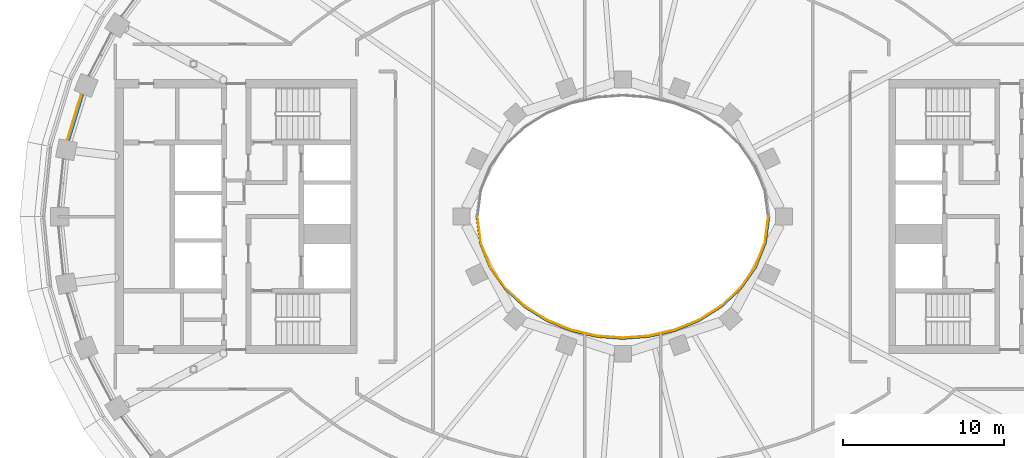
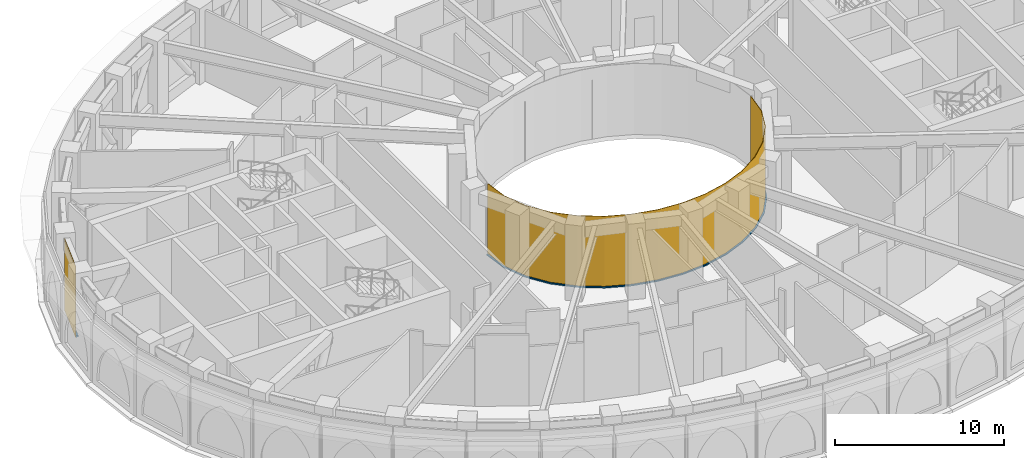
# One storey, part 15 of 25: 2 curtain walls, 2 members.
"""IFC4 building model written with IfcOpenShell, lengths in metres."""

from ifc_helpers import new_model, si_unit, direction, frame, origin, place, context, subcontext, project, spatial, polyline, outline, extrude, material, layer, layer_set, type_object, element, aggregate, save


model = new_model("IFC4")

# Units and contexts
model_context = context("Model", 3, precision=1e-05, world=origin(), true_north=direction((0.0, 1.0)))
body_context = subcontext(model_context, "Body", "Model", "MODEL_VIEW")
ifc_project = project(units=[si_unit("LENGTHUNIT", "METRE"), si_unit("AREAUNIT", "SQUARE_METRE"), si_unit("VOLUMEUNIT", "CUBIC_METRE"), si_unit("PLANEANGLEUNIT", "RADIAN"), si_unit("MASSUNIT", "GRAM", prefix="KILO")], contexts=[model_context])

# Member
ifc_material_1 = material(Name="Aluminium 6063-T6 black anodised", Category="aluminium")
member_type_1 = type_object("IfcMemberType", Name="ENV-TRANSOM-B", PredefinedType="USERDEFINED", material=ifc_material_1)
site_placement = place(None, origin())
building_placement = place(site_placement, origin())
storey_placement = place(building_placement, frame((0.0, 0.0, 198.0)))
member_1_placement = place(storey_placement, origin())
member_1 = element("IfcMember", 1, at=member_1_placement, type_object=member_type_1, Name="Transom B radial 22-23", ObjectType="TRANSOM", PredefinedType="USERDEFINED", context=body_context, shape_type="SweptSolid", body=[
    extrude(outline(polyline([(-33.59765625, 7.595947265625), (-34.45947265625, 4.775146484375), (-34.3115234375, 4.74560546875), (-33.458251953125, 7.5390625), (-33.59765625, 7.595947265625)])), origin(), (0.0, 0.0, 1.0), 0.1201171875),
])

ifc_material_2 = material(Name="Steel S355 fire-resisting frame", Category="steel")
member_type_2 = type_object("IfcMemberType", Name="ENV-TRANSOM-W", PredefinedType="USERDEFINED", material=ifc_material_2)
member_2_placement = place(storey_placement, origin())
member_2 = element("IfcMember", 2, at=member_2_placement, type_object=member_type_2, Name="Transom W well 17-01", ObjectType="TRANSOM", PredefinedType="USERDEFINED", context=body_context, shape_type="SweptSolid", body=[
    extrude(outline(polyline([(-9.119384765625, -0.02783203125), (-8.910400390625, -1.63623046875), (-8.29833984375, -3.167236328125), (-7.35107421875, -4.5146484375), (-6.1455078125, -5.6337890625), (-4.75341796875, -6.50634765625), (-3.233642578125, -7.127685546875), (-1.635498046875, -7.498779296875), (0.0, -7.622314453125), (1.635498046875, -7.498779296875), (3.233642578125, -7.127685546875), (4.75341796875, -6.50634765625), (6.1455078125, -5.6337890625), (7.35107421875, -4.5146484375), (8.29833984375, -3.167236328125), (8.910400390625, -1.63623046875), (9.119384765625, -0.02783203125), (9.02880859375, -0.02783203125), (8.822509765625, -1.61328125), (8.21875, -3.124267578125), (7.282958984375, -4.455078125), (6.090576171875, -5.56201171875), (4.712158203125, -6.426025390625), (3.206298828125, -7.04150390625), (1.621826171875, -7.40966796875), (0.0, -7.531982421875), (-1.621826171875, -7.40966796875), (-3.206298828125, -7.04150390625), (-4.712158203125, -6.426025390625), (-6.090576171875, -5.56201171875), (-7.282958984375, -4.455078125), (-8.21875, -3.124267578125), (-8.822509765625, -1.61328125), (-9.02880859375, -0.02783203125), (-9.119384765625, -0.02783203125)])), origin(), (0.0, 0.0, 1.0), 0.080078125),
])

# Site, building, storey
site = spatial("IfcSite", under=ifc_project, at=site_placement, CompositionType="ELEMENT")
building = spatial("IfcBuilding", under=site, at=building_placement, Name="Noorbagh Ring Tower", CompositionType="ELEMENT")
storey = spatial("IfcBuildingStorey", under=building, at=storey_placement, Name="L46", CompositionType="ELEMENT", Elevation=198.0)

# Curtain wall
ifc_material_3 = material(Name="Glass dark tinted laminated", Category="glass")
ifc_layer_1 = layer(ifc_material_3, 0.031982421875)
ifc_layer_set_1 = layer_set([ifc_layer_1], Name="Glass dark tinted laminated")
curtain_wall_type_1 = type_object("IfcCurtainWallType", Name="ENV-CW-B", PredefinedType="NOTDEFINED", material=ifc_layer_set_1)
curtain_wall_1_placement = place(storey_placement, origin())
curtain_wall_1 = element("IfcCurtainWall", 3, at=curtain_wall_1_placement, inside=storey, type_object=curtain_wall_type_1, Name="Curtain wall B R22", PredefinedType="NOTDEFINED", context=body_context, shape_type="SweptSolid", body=[
    extrude(outline(polyline([(-33.62744140625, 7.608154296875), (-34.490966796875, 4.781494140625), (-34.45947265625, 4.775146484375), (-33.59765625, 7.595947265625), (-33.62744140625, 7.608154296875)])), origin(), (0.0, 0.0, 1.0), 5.14990234375),
])

aggregate(curtain_wall_1, [member_1])

ifc_material_4 = material(Name="Glass fire-resisting E60 laminated", Category="glass")
ifc_layer_2 = layer(ifc_material_4, 0.031982421875)
ifc_layer_set_2 = layer_set([ifc_layer_2], Name="Glass fire-resisting E60 laminated")
curtain_wall_type_2 = type_object("IfcCurtainWallType", Name="ENV-CW-W", PredefinedType="NOTDEFINED", material=ifc_layer_set_2)
curtain_wall_2_placement = place(storey_placement, origin())
curtain_wall_2 = element("IfcCurtainWall", 4, at=curtain_wall_2_placement, inside=storey, type_object=curtain_wall_type_2, Name="Curtain wall W W17", PredefinedType="NOTDEFINED", context=body_context, shape_type="SweptSolid", body=[
    extrude(outline(polyline([(-9.0322265625, 0.0), (-8.822509765625, -1.61328125), (-8.21875, -3.124267578125), (-7.282958984375, -4.455078125), (-6.090576171875, -5.56201171875), (-4.712158203125, -6.426025390625), (-3.206298828125, -7.04150390625), (-1.621826171875, -7.40966796875), (0.0, -7.531982421875), (1.621826171875, -7.40966796875), (3.206298828125, -7.04150390625), (4.712158203125, -6.426025390625), (6.090576171875, -5.56201171875), (7.282958984375, -4.455078125), (8.21875, -3.124267578125), (8.822509765625, -1.61328125), (9.0322265625, 0.0), (9.0, 0.0), (8.79150390625, -1.605224609375), (8.1904296875, -3.10888671875), (7.2587890625, -4.43408203125), (6.071044921875, -5.53662109375), (4.697509765625, -6.3974609375), (3.196533203125, -7.010986328125), (1.6171875, -7.3779296875), (0.0, -7.5), (-1.6171875, -7.3779296875), (-3.196533203125, -7.010986328125), (-4.697509765625, -6.3974609375), (-6.071044921875, -5.53662109375), (-7.2587890625, -4.43408203125), (-8.1904296875, -3.10888671875), (-8.79150390625, -1.605224609375), (-9.0, 0.0), (-9.0322265625, 0.0)])), origin(), (0.0, 0.0, 1.0), 5.14990234375),
])

aggregate(curtain_wall_2, [member_2])

save(model, "model.ifc")
